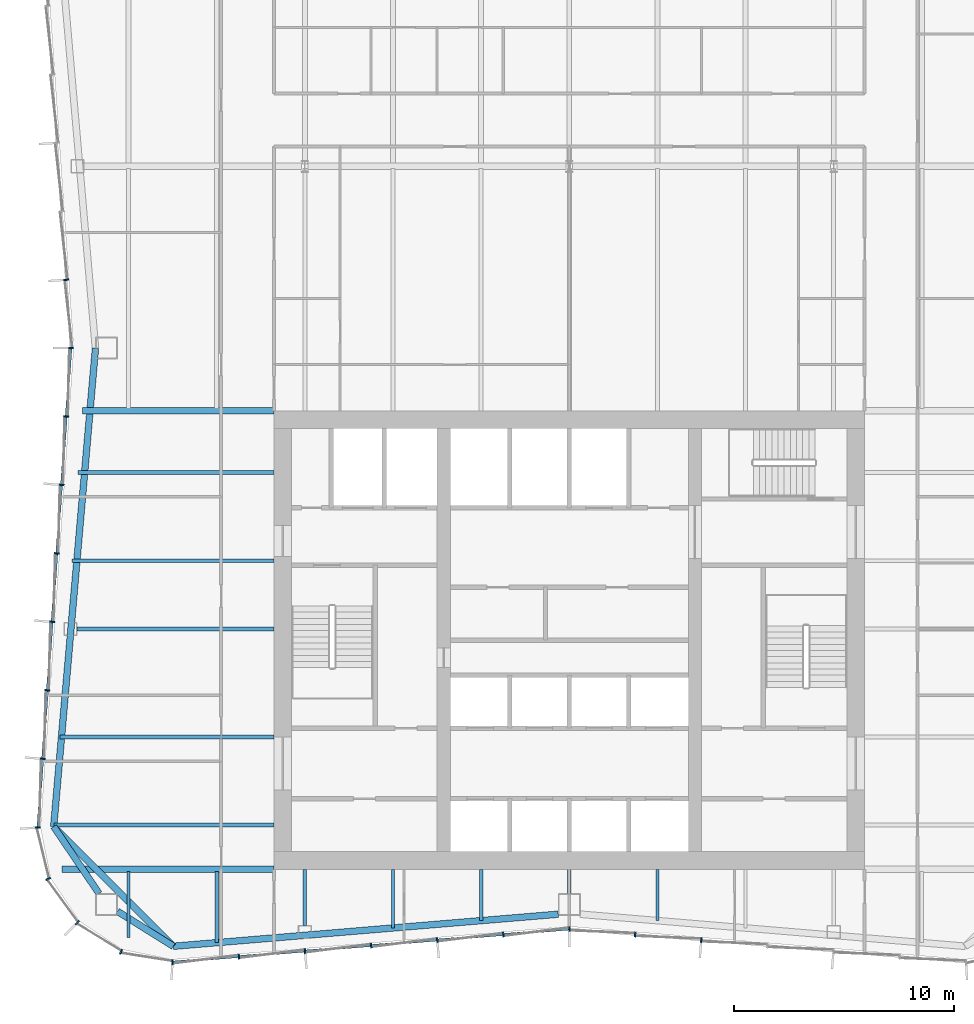
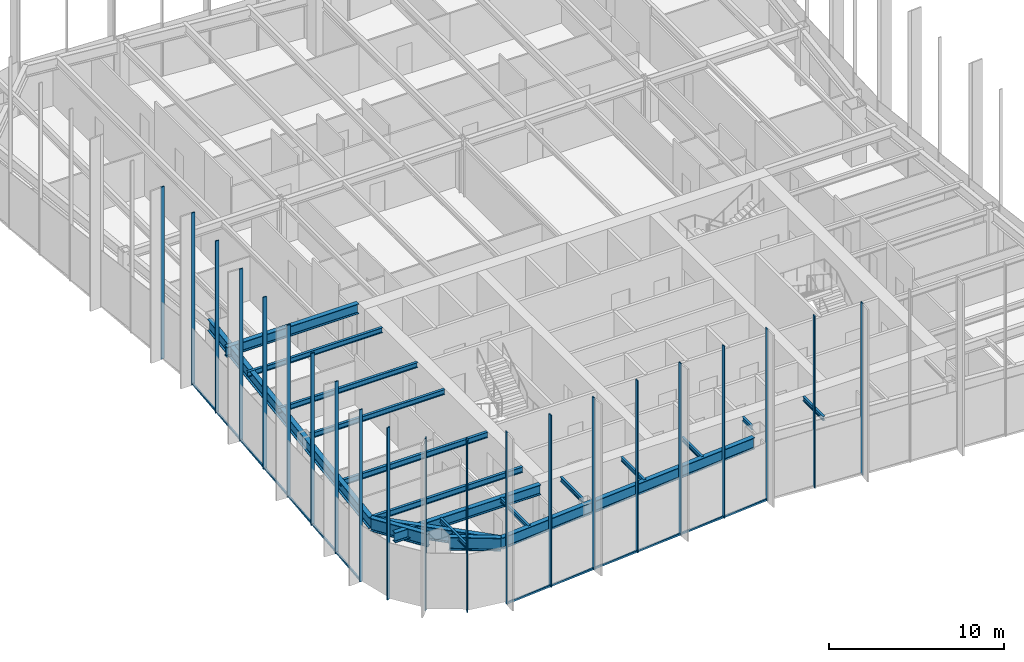
# One storey, part 3 of 15: 23 members, 19 beams, 3 elements without a shape of their own.
"""IFC4 building model written with IfcOpenShell, lengths in metres."""

from ifc_helpers import new_model, si_unit, direction, frame, origin, origin_2d, place, context, subcontext, project, spatial, rectangle, i_section, extrude, material, material_profile, profile_set, type_object, element, aggregate, save


model = new_model("IFC4")

# Units and contexts
model_context = context("Model", 3, precision=1e-05, world=origin(), true_north=direction((0.0, 1.0)))
body_context = subcontext(model_context, "Body", "Model", "MODEL_VIEW")
ifc_project = project(units=[si_unit("LENGTHUNIT", "METRE"), si_unit("AREAUNIT", "SQUARE_METRE"), si_unit("VOLUMEUNIT", "CUBIC_METRE"), si_unit("PLANEANGLEUNIT", "RADIAN"), si_unit("MASSUNIT", "GRAM", prefix="KILO")], contexts=[model_context])

# Site, building, storey
site_placement = place(None, origin())
site = spatial("IfcSite", under=ifc_project, at=site_placement, CompositionType="ELEMENT")
building_placement = place(site_placement, origin())
building = spatial("IfcBuilding", under=site, at=building_placement, Name="Verdant Reach Tower", CompositionType="ELEMENT")
storey_placement = place(building_placement, frame((0.0, 0.0, 238.0)))
storey = spatial("IfcBuildingStorey", under=building, at=storey_placement, Name="L54", CompositionType="ELEMENT", Elevation=238.0)

# Curtain wall, members
ifc_material_1 = material(Name="Anodised aluminium", Category="aluminium")
curtain_wall_type = type_object("IfcCurtainWallType", Name="EN-CW SYSTEM Z4", PredefinedType="NOTDEFINED", material=ifc_material_1)
curtain_wall_1_placement = place(storey_placement, origin())
curtain_wall_1 = element("IfcCurtainWall", 1, at=curtain_wall_1_placement, inside=storey, type_object=curtain_wall_type, Name="Curtain wall west, L54", PredefinedType="NOTDEFINED")
ifc_material_profile_1 = material_profile(ifc_material_1, rectangle(XDim=0.22412109375, YDim=0.068115234375, at=origin_2d()), Name="Mullion 68x224")
ifc_profile_set_1 = profile_set([ifc_material_profile_1], Name="Anodised aluminium")
member_type_1 = type_object("IfcMemberType", Name="EN-MULLION Z4", PredefinedType="MULLION", material=ifc_profile_set_1)
member_1_placement = place(storey_placement, frame((-22.825927734375, 44.349365234375, -0.35009765625), z_axis=(0.0, 0.0, 1.0), x_axis=(-0.997630328423, -0.068802091615, 0.0)))
member_1 = element("IfcMember", 2, at=member_1_placement, type_object=member_type_1, Name="Mullion west face part 1 7, L54", PredefinedType="MULLION", context=body_context, shape_type="SweptSolid", body=[
    extrude(rectangle(XDim=0.22412109375, YDim=0.068115234375, at=origin_2d()), origin(), (0.0, 0.0, 1.0), 12.0),
])
member_2_placement = place(storey_placement, frame((-22.612060546875, 41.25, -0.35009765625), z_axis=(0.0, 0.0, 1.0), x_axis=(-1.0, 0.0, 0.0)))
member_2 = element("IfcMember", 3, at=member_2_placement, type_object=member_type_1, Name="Mullion west face part 2 1, L54", PredefinedType="MULLION", context=body_context, shape_type="SweptSolid", body=[
    extrude(rectangle(XDim=0.22412109375, YDim=0.068115234375, at=origin_2d()), origin(), (0.0, 0.0, 1.0), 12.0),
])
member_3_placement = place(storey_placement, frame((-22.825927734375, 38.150634765625, -0.35009765625), z_axis=(0.0, 0.0, 1.0), x_axis=(-0.997630328423, 0.068802091615, 0.0)))
member_3 = element("IfcMember", 4, at=member_3_placement, type_object=member_type_1, Name="Mullion west face part 2 2, L54", PredefinedType="MULLION", context=body_context, shape_type="SweptSolid", body=[
    extrude(rectangle(XDim=0.22412109375, YDim=0.068115234375, at=origin_2d()), origin(), (0.0, 0.0, 1.0), 12.0),
])
member_4_placement = place(storey_placement, frame((-23.040283203125, 35.04345703125, -0.35009765625), z_axis=(0.0, 0.0, 1.0), x_axis=(-0.997630328423, 0.068802091615, 0.0)))
member_4 = element("IfcMember", 5, at=member_4_placement, type_object=member_type_1, Name="Mullion west face part 2 3, L54", PredefinedType="MULLION", context=body_context, shape_type="SweptSolid", body=[
    extrude(rectangle(XDim=0.22412109375, YDim=0.068115234375, at=origin_2d()), origin(), (0.0, 0.0, 1.0), 12.0),
])
member_5_placement = place(storey_placement, frame((-23.254638671875, 31.936279296875, -0.35009765625), z_axis=(0.0, 0.0, 1.0), x_axis=(-0.997630328423, 0.068802091615, 0.0)))
member_5 = element("IfcMember", 6, at=member_5_placement, type_object=member_type_1, Name="Mullion west face part 2 4, L54", PredefinedType="MULLION", context=body_context, shape_type="SweptSolid", body=[
    extrude(rectangle(XDim=0.22412109375, YDim=0.068115234375, at=origin_2d()), origin(), (0.0, 0.0, 1.0), 12.0),
])
member_6_placement = place(storey_placement, frame((-23.468994140625, 28.8291015625, -0.35009765625), z_axis=(0.0, 0.0, 1.0), x_axis=(-0.997630328423, 0.068802091615, 0.0)))
member_6 = element("IfcMember", 7, at=member_6_placement, type_object=member_type_1, Name="Mullion west face part 2 5, L54", PredefinedType="MULLION", context=body_context, shape_type="SweptSolid", body=[
    extrude(rectangle(XDim=0.22412109375, YDim=0.068115234375, at=origin_2d()), origin(), (0.0, 0.0, 1.0), 12.0),
])
member_7_placement = place(storey_placement, frame((-23.68310546875, 25.721923828125, -0.35009765625), z_axis=(0.0, 0.0, 1.0), x_axis=(-0.997630328423, 0.068802091615, 0.0)))
member_7 = element("IfcMember", 8, at=member_7_placement, type_object=member_type_1, Name="Mullion west face part 2 6, L54", PredefinedType="MULLION", context=body_context, shape_type="SweptSolid", body=[
    extrude(rectangle(XDim=0.22412109375, YDim=0.068115234375, at=origin_2d()), origin(), (0.0, 0.0, 1.0), 12.0),
])
member_8_placement = place(storey_placement, frame((-23.8974609375, 22.61474609375, -0.35009765625), z_axis=(0.0, 0.0, 1.0), x_axis=(-0.997630328423, 0.068802091615, 0.0)))
member_8 = element("IfcMember", 9, at=member_8_placement, type_object=member_type_1, Name="Mullion west face part 2 7, L54", PredefinedType="MULLION", context=body_context, shape_type="SweptSolid", body=[
    extrude(rectangle(XDim=0.22412109375, YDim=0.068115234375, at=origin_2d()), origin(), (0.0, 0.0, 1.0), 12.0),
])

curtain_wall_2_placement = place(storey_placement, origin())
curtain_wall_2 = element("IfcCurtainWall", 10, at=curtain_wall_2_placement, inside=storey, type_object=curtain_wall_type, Name="Curtain wall south-west corner, L54", PredefinedType="NOTDEFINED")
member_9_placement = place(storey_placement, frame((-24.11181640625, 19.492919921875, -0.35009765625), z_axis=(0.0, 0.0, 1.0), x_axis=(-0.997969180898, -0.063698618332, 0.0)))
member_9 = element("IfcMember", 11, at=member_9_placement, type_object=member_type_1, Name="Mullion south-west corner 1, L54", PredefinedType="MULLION", context=body_context, shape_type="SweptSolid", body=[
    extrude(rectangle(XDim=0.22412109375, YDim=0.068115234375, at=origin_2d()), origin(), (0.0, 0.0, 1.0), 12.0),
])
member_10_placement = place(storey_placement, frame((-23.646728515625, 17.1611328125, -0.35009765625), z_axis=(0.0, 0.0, 1.0), x_axis=(-0.923875215753, -0.382693853776, 0.0)))
member_10 = element("IfcMember", 12, at=member_10_placement, type_object=member_type_1, Name="Mullion south-west corner 2, L54", PredefinedType="MULLION", context=body_context, shape_type="SweptSolid", body=[
    extrude(rectangle(XDim=0.22412109375, YDim=0.068115234375, at=origin_2d()), origin(), (0.0, 0.0, 1.0), 12.0),
])
member_11_placement = place(storey_placement, frame((-22.32177734375, 15.17822265625, -0.35009765625), z_axis=(0.0, 0.0, 1.0), x_axis=(-0.707106781187, -0.707106781187, 0.0)))
member_11 = element("IfcMember", 13, at=member_11_placement, type_object=member_type_1, Name="Mullion south-west corner 3, L54", PredefinedType="MULLION", context=body_context, shape_type="SweptSolid", body=[
    extrude(rectangle(XDim=0.22412109375, YDim=0.068115234375, at=origin_2d()), origin(), (0.0, 0.0, 1.0), 12.0),
])
member_12_placement = place(storey_placement, frame((-20.3388671875, 13.853271484375, -0.35009765625), z_axis=(0.0, 0.0, 1.0), x_axis=(-0.382693853776, -0.923875215753, 0.0)))
member_12 = element("IfcMember", 14, at=member_12_placement, type_object=member_type_1, Name="Mullion south-west corner 4, L54", PredefinedType="MULLION", context=body_context, shape_type="SweptSolid", body=[
    extrude(rectangle(XDim=0.22412109375, YDim=0.068115234375, at=origin_2d()), origin(), (0.0, 0.0, 1.0), 12.0),
])
aggregate(curtain_wall_2, [member_9, member_10, member_11, member_12])

curtain_wall_3_placement = place(storey_placement, origin())
curtain_wall_3 = element("IfcCurtainWall", 15, at=curtain_wall_3_placement, inside=storey, type_object=curtain_wall_type, Name="Curtain wall south, L54", PredefinedType="NOTDEFINED")
member_13_placement = place(storey_placement, frame((-18.00634765625, 13.38818359375, -0.35009765625), z_axis=(0.0, 0.0, 1.0), x_axis=(-0.056569187765, -0.998398681387, 0.0)))
member_13 = element("IfcMember", 16, at=member_13_placement, type_object=member_type_1, Name="Mullion south face part 1 1, L54", PredefinedType="MULLION", context=body_context, shape_type="SweptSolid", body=[
    extrude(rectangle(XDim=0.22412109375, YDim=0.068115234375, at=origin_2d()), origin(), (0.0, 0.0, 1.0), 12.0),
])
member_14_placement = place(storey_placement, frame((-14.99072265625, 13.638427734375, -0.35009765625), z_axis=(0.0, 0.0, 1.0), x_axis=(0.083045479859, -0.996545758244, 0.0)))
member_14 = element("IfcMember", 17, at=member_14_placement, type_object=member_type_1, Name="Mullion south face part 1 2, L54", PredefinedType="MULLION", context=body_context, shape_type="SweptSolid", body=[
    extrude(rectangle(XDim=0.22412109375, YDim=0.068115234375, at=origin_2d()), origin(), (0.0, 0.0, 1.0), 12.0),
])
member_15_placement = place(storey_placement, frame((-11.99072265625, 13.888427734375, -0.35009765625), z_axis=(0.0, 0.0, 1.0), x_axis=(0.083045479859, -0.996545758244, 0.0)))
member_15 = element("IfcMember", 18, at=member_15_placement, type_object=member_type_1, Name="Mullion south face part 1 3, L54", PredefinedType="MULLION", context=body_context, shape_type="SweptSolid", body=[
    extrude(rectangle(XDim=0.22412109375, YDim=0.068115234375, at=origin_2d()), origin(), (0.0, 0.0, 1.0), 12.0),
])
member_16_placement = place(storey_placement, frame((-8.99072265625, 14.138427734375, -0.35009765625), z_axis=(0.0, 0.0, 1.0), x_axis=(0.083045479859, -0.996545758244, 0.0)))
member_16 = element("IfcMember", 19, at=member_16_placement, type_object=member_type_1, Name="Mullion south face part 1 4, L54", PredefinedType="MULLION", context=body_context, shape_type="SweptSolid", body=[
    extrude(rectangle(XDim=0.22412109375, YDim=0.068115234375, at=origin_2d()), origin(), (0.0, 0.0, 1.0), 12.0),
])
member_17_placement = place(storey_placement, frame((-5.99072265625, 14.388427734375, -0.35009765625), z_axis=(0.0, 0.0, 1.0), x_axis=(0.083045479859, -0.996545758244, 0.0)))
member_17 = element("IfcMember", 20, at=member_17_placement, type_object=member_type_1, Name="Mullion south face part 1 5, L54", PredefinedType="MULLION", context=body_context, shape_type="SweptSolid", body=[
    extrude(rectangle(XDim=0.22412109375, YDim=0.068115234375, at=origin_2d()), origin(), (0.0, 0.0, 1.0), 12.0),
])
member_18_placement = place(storey_placement, frame((-2.99072265625, 14.638427734375, -0.35009765625), z_axis=(0.0, 0.0, 1.0), x_axis=(0.083045479859, -0.996545758244, 0.0)))
member_18 = element("IfcMember", 21, at=member_18_placement, type_object=member_type_1, Name="Mullion south face part 1 6, L54", PredefinedType="MULLION", context=body_context, shape_type="SweptSolid", body=[
    extrude(rectangle(XDim=0.22412109375, YDim=0.068115234375, at=origin_2d()), origin(), (0.0, 0.0, 1.0), 12.0),
])
member_19_placement = place(storey_placement, frame((0.0, 14.887939453125, -0.35009765625), z_axis=(0.0, 0.0, 1.0), x_axis=(0.0, -1.0, 0.0)))
member_19 = element("IfcMember", 22, at=member_19_placement, type_object=member_type_1, Name="Mullion south face part 2 1, L54", PredefinedType="MULLION", context=body_context, shape_type="SweptSolid", body=[
    extrude(rectangle(XDim=0.22412109375, YDim=0.068115234375, at=origin_2d()), origin(), (0.0, 0.0, 1.0), 12.0),
])
member_20_placement = place(storey_placement, frame((2.99072265625, 14.638427734375, -0.35009765625), z_axis=(0.0, 0.0, 1.0), x_axis=(-0.083045479859, -0.996545758244, 0.0)))
member_20 = element("IfcMember", 23, at=member_20_placement, type_object=member_type_1, Name="Mullion south face part 2 2, L54", PredefinedType="MULLION", context=body_context, shape_type="SweptSolid", body=[
    extrude(rectangle(XDim=0.22412109375, YDim=0.068115234375, at=origin_2d()), origin(), (0.0, 0.0, 1.0), 12.0),
])
member_21_placement = place(storey_placement, frame((5.99072265625, 14.388427734375, -0.35009765625), z_axis=(0.0, 0.0, 1.0), x_axis=(-0.083045479859, -0.996545758244, 0.0)))
member_21 = element("IfcMember", 24, at=member_21_placement, type_object=member_type_1, Name="Mullion south face part 2 3, L54", PredefinedType="MULLION", context=body_context, shape_type="SweptSolid", body=[
    extrude(rectangle(XDim=0.22412109375, YDim=0.068115234375, at=origin_2d()), origin(), (0.0, 0.0, 1.0), 12.0),
])

# Member
ifc_material_profile_2 = material_profile(ifc_material_1, rectangle(XDim=0.10009765625, YDim=0.1279296875, at=origin_2d()), Name="Transom 128x100")
ifc_profile_set_2 = profile_set([ifc_material_profile_2], Name="Anodised aluminium")
member_type_2 = type_object("IfcMemberType", Name="EN-TRANSOM Z4", PredefinedType="USERDEFINED", material=ifc_profile_set_2)
member_22_placement = place(storey_placement, frame((-22.6142578125, 41.216064453125, -0.285888671875), z_axis=(-0.068770489035, -0.997632507408, 0.0), x_axis=(0.997632507408, -0.068770489035, 0.0)))
member_22 = element("IfcMember", 25, at=member_22_placement, type_object=member_type_2, Name="Transom west face part 2 1.1, L54", ObjectType="TRANSOM", PredefinedType="USERDEFINED", context=body_context, shape_type="SweptSolid", body=[
    extrude(rectangle(XDim=0.10009765625, YDim=0.1279296875, at=origin_2d()), origin(), (0.0, 0.0, 1.0), 21.74072265625),
])

aggregate(curtain_wall_1, [member_1, member_2, member_3, member_4, member_5, member_6, member_7, member_8, member_22])

member_23_placement = place(storey_placement, frame((-17.972412109375, 13.39111328125, -0.285888671875), z_axis=(0.996549124771, 0.083005071637, 0.0), x_axis=(-0.083005071637, 0.996549124771, 0.0)))
member_23 = element("IfcMember", 26, at=member_23_placement, type_object=member_type_2, Name="Transom south face part 1 1.1, L54", ObjectType="TRANSOM", PredefinedType="USERDEFINED", context=body_context, shape_type="SweptSolid", body=[
    extrude(rectangle(XDim=0.10009765625, YDim=0.1279296875, at=origin_2d()), origin(), (0.0, 0.0, 1.0), 18.00048828125),
])

aggregate(curtain_wall_3, [member_13, member_14, member_15, member_16, member_17, member_18, member_23, member_19, member_20, member_21])

# Beams
ifc_material_2 = material(Name="Steel S355", Category="steel")
ifc_material_profile_3 = material_profile(ifc_material_2, i_section(OverallWidth=0.300048828125, OverallDepth=0.699951171875, WebThickness=0.01708984375, FlangeThickness=0.031982421875, FilletRadius=0.027099609375, at=origin_2d()), Name="HEB 700")
ifc_profile_set_3 = profile_set([ifc_material_profile_3], Name="Steel S355")
beam_type_1 = type_object("IfcBeamType", Name="ST-BEAM-HEB700", PredefinedType="BEAM", material=ifc_profile_set_3)
beam_1_placement = place(storey_placement, frame((-13.39990234375, 38.39990234375, 3.52001953125), z_axis=(-1.0, 0.0, 0.0), x_axis=(0.0, -1.0, 0.0)))
element("IfcBeam", 27, at=beam_1_placement, inside=storey, type_object=beam_type_1, Name="Trimmer beam, L54", PredefinedType="BEAM", context=body_context, shape_type="SweptSolid", body=[
    extrude(i_section(OverallWidth=0.300048828125, OverallDepth=0.699951171875, WebThickness=0.01708984375, FlangeThickness=0.031982421875, FilletRadius=0.027099609375, at=origin_2d()), origin(), (0.0, 0.0, 1.0), 8.6953125),
])
beam_2_placement = place(storey_placement, frame((-13.39990234375, 17.60009765625, 3.52001953125), z_axis=(-1.0, 0.0, 0.0), x_axis=(0.0, -1.0, 0.0)))
element("IfcBeam", 28, at=beam_2_placement, inside=storey, type_object=beam_type_1, Name="Trimmer beam, L54", PredefinedType="BEAM", context=body_context, shape_type="SweptSolid", body=[
    extrude(i_section(OverallWidth=0.300048828125, OverallDepth=0.699951171875, WebThickness=0.01708984375, FlangeThickness=0.031982421875, FilletRadius=0.027099609375, at=origin_2d()), origin(), (0.0, 0.0, 1.0), 9.6103515625),
])
ifc_material_profile_4 = material_profile(ifc_material_2, i_section(OverallWidth=0.302001953125, OverallDepth=0.909912109375, WebThickness=0.02099609375, FlangeThickness=0.0400390625, FilletRadius=0.030029296875, at=origin_2d()), Name="HEM 900")
ifc_profile_set_4 = profile_set([ifc_material_profile_4], Name="Steel S355")
beam_type_2 = type_object("IfcBeamType", Name="ST-BEAM-HEM900", PredefinedType="BEAM", material=ifc_profile_set_4)
beam_3_placement = place(storey_placement, frame((-20.5, 15.687744140625, 3.4150390625), z_axis=(0.848163521635, -0.529734500073, 0.0), x_axis=(0.529734500073, 0.848163521635, 0.0)))
element("IfcBeam", 29, at=beam_3_placement, inside=storey, type_object=beam_type_2, Name="Column stub beam, L54", PredefinedType="BEAM", context=body_context, shape_type="SweptSolid", body=[
    extrude(i_section(OverallWidth=0.302001953125, OverallDepth=0.909912109375, WebThickness=0.02099609375, FlangeThickness=0.0400390625, FilletRadius=0.030029296875, at=origin_2d()), origin(), (0.0, 0.0, 1.0), 2.98779296875),
])
beam_4_placement = place(storey_placement, frame((-21.33837890625, 16.5, 3.4150390625), z_axis=(-0.560703975309, 0.828016335631, 0.0), x_axis=(-0.828016335631, -0.560703975309, 0.0)))
element("IfcBeam", 30, at=beam_4_placement, inside=storey, type_object=beam_type_2, Name="Column stub beam, L54", PredefinedType="BEAM", context=body_context, shape_type="SweptSolid", body=[
    extrude(i_section(OverallWidth=0.302001953125, OverallDepth=0.909912109375, WebThickness=0.02099609375, FlangeThickness=0.0400390625, FilletRadius=0.030029296875, at=origin_2d()), origin(), (0.0, 0.0, 1.0), 3.669677734375),
])
ifc_material_profile_5 = material_profile(ifc_material_2, i_section(OverallWidth=0.14990234375, OverallDepth=0.300048828125, WebThickness=0.007080078125, FlangeThickness=0.0107421875, FilletRadius=0.014892578125, at=origin_2d()), Name="IPE 300")
ifc_profile_set_5 = profile_set([ifc_material_profile_5], Name="Steel S355")
beam_type_3 = type_object("IfcBeamType", Name="ST-JOIST-IPE300", PredefinedType="JOIST", material=ifc_profile_set_5)
beam_5_placement = place(storey_placement, frame((-20.0, 17.5, 3.719970703125), z_axis=(0.0, -1.0, 0.0), x_axis=(1.0, 0.0, 0.0)))
element("IfcBeam", 31, at=beam_5_placement, inside=storey, type_object=beam_type_3, Name="Floor joist, L54", PredefinedType="JOIST", context=body_context, shape_type="SweptSolid", body=[
    extrude(i_section(OverallWidth=0.14990234375, OverallDepth=0.300048828125, WebThickness=0.007080078125, FlangeThickness=0.0107421875, FilletRadius=0.014892578125, at=origin_2d()), origin(), (0.0, 0.0, 1.0), 2.990478515625),
])
beam_6_placement = place(storey_placement, frame((-16.0, 17.5, 3.719970703125), z_axis=(0.0, -1.0, 0.0), x_axis=(1.0, 0.0, 0.0)))
element("IfcBeam", 32, at=beam_6_placement, inside=storey, type_object=beam_type_3, Name="Floor joist, L54", PredefinedType="JOIST", context=body_context, shape_type="SweptSolid", body=[
    extrude(i_section(OverallWidth=0.14990234375, OverallDepth=0.300048828125, WebThickness=0.007080078125, FlangeThickness=0.0107421875, FilletRadius=0.014892578125, at=origin_2d()), origin(), (0.0, 0.0, 1.0), 3.231201171875),
])
beam_7_placement = place(storey_placement, frame((-12.0, 17.60009765625, 3.719970703125), z_axis=(0.0, -1.0, 0.0), x_axis=(1.0, 0.0, 0.0)))
element("IfcBeam", 33, at=beam_7_placement, inside=storey, type_object=beam_type_3, Name="Floor joist, L54", PredefinedType="JOIST", context=body_context, shape_type="SweptSolid", body=[
    extrude(i_section(OverallWidth=0.14990234375, OverallDepth=0.300048828125, WebThickness=0.007080078125, FlangeThickness=0.0107421875, FilletRadius=0.014892578125, at=origin_2d()), origin(), (0.0, 0.0, 1.0), 2.550048828125),
])
beam_8_placement = place(storey_placement, frame((-8.0, 17.60009765625, 3.719970703125), z_axis=(0.0, -1.0, 0.0), x_axis=(1.0, 0.0, 0.0)))
element("IfcBeam", 34, at=beam_8_placement, inside=storey, type_object=beam_type_3, Name="Floor joist, L54", PredefinedType="JOIST", context=body_context, shape_type="SweptSolid", body=[
    extrude(i_section(OverallWidth=0.14990234375, OverallDepth=0.300048828125, WebThickness=0.007080078125, FlangeThickness=0.0107421875, FilletRadius=0.014892578125, at=origin_2d()), origin(), (0.0, 0.0, 1.0), 2.664794921875),
])
beam_9_placement = place(storey_placement, frame((-4.0, 17.60009765625, 3.719970703125), z_axis=(0.0, -1.0, 0.0), x_axis=(1.0, 0.0, 0.0)))
element("IfcBeam", 35, at=beam_9_placement, inside=storey, type_object=beam_type_3, Name="Floor joist, L54", PredefinedType="JOIST", context=body_context, shape_type="SweptSolid", body=[
    extrude(i_section(OverallWidth=0.14990234375, OverallDepth=0.300048828125, WebThickness=0.007080078125, FlangeThickness=0.0107421875, FilletRadius=0.014892578125, at=origin_2d()), origin(), (0.0, 0.0, 1.0), 2.331298828125),
])
beam_10_placement = place(storey_placement, frame((0.0, 17.60009765625, 3.719970703125), z_axis=(0.0, -1.0, 0.0), x_axis=(1.0, 0.0, 0.0)))
element("IfcBeam", 36, at=beam_10_placement, inside=storey, type_object=beam_type_3, Name="Floor joist, L54", PredefinedType="JOIST", context=body_context, shape_type="SweptSolid", body=[
    extrude(i_section(OverallWidth=0.14990234375, OverallDepth=0.300048828125, WebThickness=0.007080078125, FlangeThickness=0.0107421875, FilletRadius=0.014892578125, at=origin_2d()), origin(), (0.0, 0.0, 1.0), 1.10009765625),
])
beam_11_placement = place(storey_placement, frame((4.0, 17.60009765625, 3.719970703125), z_axis=(0.0, -1.0, 0.0), x_axis=(1.0, 0.0, 0.0)))
element("IfcBeam", 37, at=beam_11_placement, inside=storey, type_object=beam_type_3, Name="Floor joist, L54", PredefinedType="JOIST", context=body_context, shape_type="SweptSolid", body=[
    extrude(i_section(OverallWidth=0.14990234375, OverallDepth=0.300048828125, WebThickness=0.007080078125, FlangeThickness=0.0107421875, FilletRadius=0.014892578125, at=origin_2d()), origin(), (0.0, 0.0, 1.0), 2.331298828125),
])
ifc_material_profile_6 = material_profile(ifc_material_2, i_section(OverallWidth=0.169921875, OverallDepth=0.360107421875, WebThickness=0.008056640625, FlangeThickness=0.0126953125, FilletRadius=0.01806640625, at=origin_2d()), Name="IPE 360")
ifc_profile_set_6 = profile_set([ifc_material_profile_6], Name="Steel S355")
beam_type_4 = type_object("IfcBeamType", Name="ST-JOIST-IPE360", PredefinedType="JOIST", material=ifc_profile_set_6)
beam_12_placement = place(storey_placement, frame((-13.39990234375, 28.5, 3.68994140625), z_axis=(-1.0, 0.0, 0.0), x_axis=(0.0, -1.0, 0.0)))
element("IfcBeam", 38, at=beam_12_placement, inside=storey, type_object=beam_type_4, Name="Floor joist, L54", PredefinedType="JOIST", context=body_context, shape_type="SweptSolid", body=[
    extrude(i_section(OverallWidth=0.169921875, OverallDepth=0.360107421875, WebThickness=0.008056640625, FlangeThickness=0.0126953125, FilletRadius=0.01806640625, at=origin_2d()), origin(), (0.0, 0.0, 1.0), 8.929443359375),
])
beam_13_placement = place(storey_placement, frame((-13.39990234375, 31.60009765625, 3.68994140625), z_axis=(-1.0, 0.0, 0.0), x_axis=(0.0, -1.0, 0.0)))
element("IfcBeam", 39, at=beam_13_placement, inside=storey, type_object=beam_type_4, Name="Floor joist, L54", PredefinedType="JOIST", context=body_context, shape_type="SweptSolid", body=[
    extrude(i_section(OverallWidth=0.169921875, OverallDepth=0.360107421875, WebThickness=0.008056640625, FlangeThickness=0.0126953125, FilletRadius=0.01806640625, at=origin_2d()), origin(), (0.0, 0.0, 1.0), 9.164306640625),
])
beam_14_placement = place(storey_placement, frame((-13.39990234375, 35.60009765625, 3.68994140625), z_axis=(-1.0, 0.0, 0.0), x_axis=(0.0, -1.0, 0.0)))
element("IfcBeam", 40, at=beam_14_placement, inside=storey, type_object=beam_type_4, Name="Floor joist, L54", PredefinedType="JOIST", context=body_context, shape_type="SweptSolid", body=[
    extrude(i_section(OverallWidth=0.169921875, OverallDepth=0.360107421875, WebThickness=0.008056640625, FlangeThickness=0.0126953125, FilletRadius=0.01806640625, at=origin_2d()), origin(), (0.0, 0.0, 1.0), 8.88818359375),
])
ifc_material_profile_7 = material_profile(ifc_material_2, i_section(OverallWidth=0.179931640625, OverallDepth=0.39990234375, WebThickness=0.008544921875, FlangeThickness=0.013427734375, FilletRadius=0.02099609375, at=origin_2d()), Name="IPE 400")
ifc_profile_set_7 = profile_set([ifc_material_profile_7], Name="Steel S355")
beam_type_5 = type_object("IfcBeamType", Name="ST-JOIST-IPE400", PredefinedType="JOIST", material=ifc_profile_set_7)
beam_15_placement = place(storey_placement, frame((-13.39990234375, 19.60009765625, 3.669921875), z_axis=(-1.0, 0.0, 0.0), x_axis=(0.0, -1.0, 0.0)))
element("IfcBeam", 41, at=beam_15_placement, inside=storey, type_object=beam_type_5, Name="Floor joist, L54", PredefinedType="JOIST", context=body_context, shape_type="SweptSolid", body=[
    extrude(i_section(OverallWidth=0.179931640625, OverallDepth=0.39990234375, WebThickness=0.008544921875, FlangeThickness=0.013427734375, FilletRadius=0.02099609375, at=origin_2d()), origin(), (0.0, 0.0, 1.0), 9.99169921875),
])
beam_16_placement = place(storey_placement, frame((-13.39990234375, 23.60009765625, 3.669921875), z_axis=(-1.0, 0.0, 0.0), x_axis=(0.0, -1.0, 0.0)))
element("IfcBeam", 42, at=beam_16_placement, inside=storey, type_object=beam_type_5, Name="Floor joist, L54", PredefinedType="JOIST", context=body_context, shape_type="SweptSolid", body=[
    extrude(i_section(OverallWidth=0.179931640625, OverallDepth=0.39990234375, WebThickness=0.008544921875, FlangeThickness=0.013427734375, FilletRadius=0.02099609375, at=origin_2d()), origin(), (0.0, 0.0, 1.0), 9.7158203125),
])
ifc_material_profile_8 = material_profile(ifc_material_2, i_section(OverallWidth=0.300048828125, OverallDepth=0.800048828125, WebThickness=0.017578125, FlangeThickness=0.032958984375, FilletRadius=0.030029296875, at=origin_2d()), Name="HEB 800")
ifc_profile_set_8 = profile_set([ifc_material_profile_8], Name="Steel S355")
beam_type_6 = type_object("IfcBeamType", Name="ST-SPANDREL-HEB800", PredefinedType="SPANDREL", material=ifc_profile_set_8)
beam_17_placement = place(storey_placement, frame((-0.5, 15.560302734375, 3.469970703125), z_axis=(-0.99654652675, -0.083036257282, 0.0), x_axis=(0.083036257282, -0.99654652675, 0.0)))
element("IfcBeam", 43, at=beam_17_placement, inside=storey, type_object=beam_type_6, Name="Edge beam, L54", PredefinedType="SPANDREL", context=body_context, shape_type="SweptSolid", body=[
    extrude(i_section(OverallWidth=0.300048828125, OverallDepth=0.800048828125, WebThickness=0.017578125, FlangeThickness=0.032958984375, FilletRadius=0.030029296875, at=origin_2d()), origin(), (0.0, 0.0, 1.0), 17.5263671875),
])
beam_18_placement = place(storey_placement, frame((-23.39599609375, 19.53857421875, 3.469970703125), z_axis=(0.086996024331, 0.996208658741, 0.0), x_axis=(-0.996208658741, 0.086996024331, 0.0)))
element("IfcBeam", 44, at=beam_18_placement, inside=storey, type_object=beam_type_6, Name="Edge beam, L54", PredefinedType="SPANDREL", context=body_context, shape_type="SweptSolid", body=[
    extrude(i_section(OverallWidth=0.300048828125, OverallDepth=0.800048828125, WebThickness=0.017578125, FlangeThickness=0.032958984375, FilletRadius=0.030029296875, at=origin_2d()), origin(), (0.0, 0.0, 1.0), 21.7939453125),
])
ifc_material_profile_9 = material_profile(ifc_material_2, i_section(OverallWidth=0.302001953125, OverallDepth=0.909912109375, WebThickness=0.02099609375, FlangeThickness=0.0400390625, FilletRadius=0.030029296875, at=origin_2d()), Name="HEM 900")
ifc_profile_set_9 = profile_set([ifc_material_profile_9], Name="Steel S355")
beam_type_7 = type_object("IfcBeamType", Name="ST-SPANDREL-HEM900", PredefinedType="SPANDREL", material=ifc_profile_set_9)
beam_19_placement = place(storey_placement, frame((-17.9658203125, 14.10498046875, 3.4150390625), z_axis=(-0.706884275642, 0.707329216738, 0.0), x_axis=(-0.707329216738, -0.706884275642, 0.0)))
element("IfcBeam", 45, at=beam_19_placement, inside=storey, type_object=beam_type_7, Name="Edge beam, L54", PredefinedType="SPANDREL", context=body_context, shape_type="SweptSolid", body=[
    extrude(i_section(OverallWidth=0.302001953125, OverallDepth=0.909912109375, WebThickness=0.02099609375, FlangeThickness=0.0400390625, FilletRadius=0.030029296875, at=origin_2d()), origin(), (0.0, 0.0, 1.0), 7.681884765625),
])

save(model, "model.ifc")
